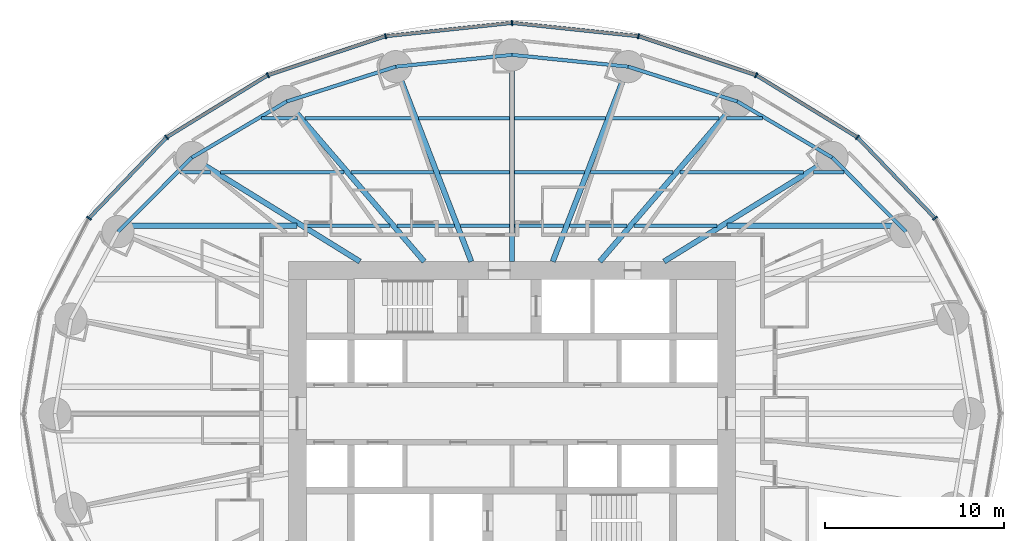
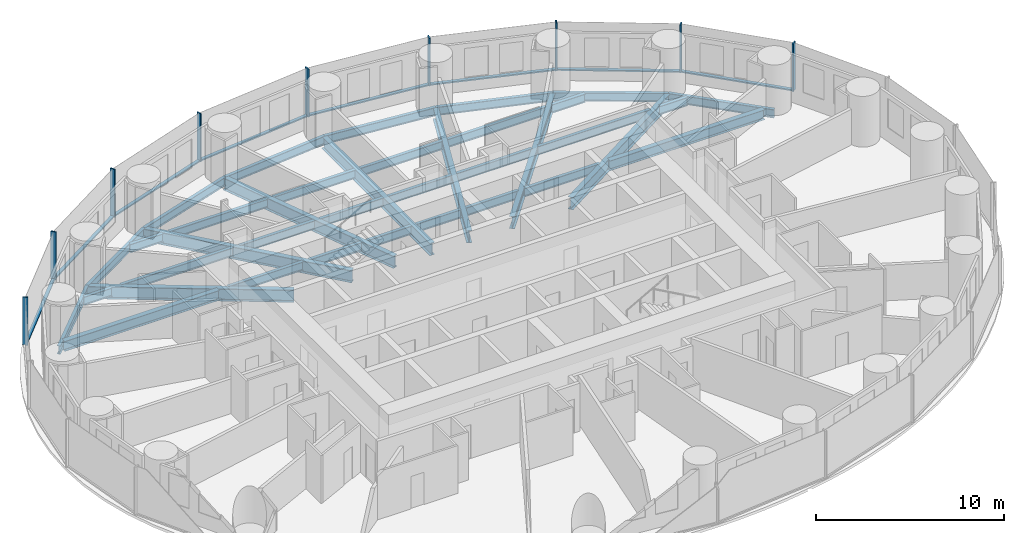
# One storey, part 4 of 14: 37 beams, 17 members, 2 elements without a shape of their own.
"""IFC4 building model written with IfcOpenShell, lengths in metres."""

from ifc_helpers import new_model, si_unit, direction, frame, origin, origin_2d, place, context, subcontext, project, spatial, rectangle, i_section, extrude, material, material_profile, profile_set, type_object, element, aggregate, save


model = new_model("IFC4")

# Units and contexts
model_context = context("Model", 3, precision=1e-05, world=origin(), true_north=direction((0.0, 1.0)))
body_context = subcontext(model_context, "Body", "Model", "MODEL_VIEW")
ifc_project = project(units=[si_unit("LENGTHUNIT", "METRE"), si_unit("AREAUNIT", "SQUARE_METRE"), si_unit("VOLUMEUNIT", "CUBIC_METRE"), si_unit("PLANEANGLEUNIT", "RADIAN"), si_unit("MASSUNIT", "GRAM", prefix="KILO")], contexts=[model_context])

# Site, building, storey
site_placement = place(None, origin())
site = spatial("IfcSite", under=ifc_project, at=site_placement, CompositionType="ELEMENT")
building_placement = place(site_placement, origin())
building = spatial("IfcBuilding", under=site, at=building_placement, Name="Hankou Lantern Tower", CompositionType="ELEMENT")
storey_placement = place(building_placement, frame((0.0, 0.0, 36.0)))
storey = spatial("IfcBuildingStorey", under=building, at=storey_placement, Name="L07", CompositionType="ELEMENT", Elevation=36.0)

# Beams
ifc_material_1 = material(Name="Steel Q355B", Category="steel")
ifc_material_profile_1 = material_profile(ifc_material_1, i_section(OverallWidth=0.199951171875, OverallDepth=0.550048828125, WebThickness=0.010009765625, FlangeThickness=0.01611328125, FilletRadius=0.012939453125, at=origin_2d()), Name="HN550x200x10x16")
ifc_profile_set_1 = profile_set([ifc_material_profile_1], Name="Steel Q355B")
beam_type_1 = type_object("IfcBeamType", Name="EB6 RING BEAM HN550x200x10x16", PredefinedType="SPANDREL", material=ifc_profile_set_1)
beam_1_placement = place(storey_placement, frame((22.01904296875, 10.170166015625, -0.455078125), z_axis=(-0.705727798394, 0.708483079949, 0.0), x_axis=(-0.708483079949, -0.705727798394, 0.0)))
element("IfcBeam", 1, at=beam_1_placement, inside=storey, type_object=beam_type_1, Name="Ring beam R03-R04 L07", PredefinedType="SPANDREL", context=body_context, shape_type="SweptSolid", body=[
    extrude(i_section(OverallWidth=0.199951171875, OverallDepth=0.550048828125, WebThickness=0.010009765625, FlangeThickness=0.01611328125, FilletRadius=0.012939453125, at=origin_2d()), origin(), (0.0, 0.0, 1.0), 5.84814453125),
])
beam_2_placement = place(storey_placement, frame((17.891845703125, 14.3134765625, -0.455078125), z_axis=(-0.860881533543, 0.508805449268, 0.0), x_axis=(-0.508805449268, -0.860881533543, 0.0)))
element("IfcBeam", 2, at=beam_2_placement, inside=storey, type_object=beam_type_1, Name="Ring beam R04-R05 L07", PredefinedType="SPANDREL", context=body_context, shape_type="SweptSolid", body=[
    extrude(i_section(OverallWidth=0.199951171875, OverallDepth=0.550048828125, WebThickness=0.010009765625, FlangeThickness=0.01611328125, FilletRadius=0.012939453125, at=origin_2d()), origin(), (0.0, 0.0, 1.0), 6.15771484375),
])
beam_3_placement = place(storey_placement, frame((12.5908203125, 17.446533203125, -0.455078125), z_axis=(-0.952690479428, 0.303942182671, 0.0), x_axis=(-0.303942182671, -0.952690479428, 0.0)))
element("IfcBeam", 3, at=beam_3_placement, inside=storey, type_object=beam_type_1, Name="Ring beam R05-R06 L07", PredefinedType="SPANDREL", context=body_context, shape_type="SweptSolid", body=[
    extrude(i_section(OverallWidth=0.199951171875, OverallDepth=0.550048828125, WebThickness=0.010009765625, FlangeThickness=0.01611328125, FilletRadius=0.012939453125, at=origin_2d()), origin(), (0.0, 0.0, 1.0), 6.398681640625),
])
for number, where, z_axis, x_axis, name in (
    (4, (6.494873046875, 19.391357421875, -0.455078125), (-0.994896616842, 0.100899562915, 0.0), (-0.100899562915, -0.994896616842, 0.0), "Ring beam R06-R07 L07"),
    (5, (0.0, 20.050048828125, -0.455078125), (-0.994896616842, -0.100899562915, 0.0), (0.100899562915, -0.994896616842, 0.0), "Ring beam R07-R08 L07"),
):
    element("IfcBeam", number, at=place(storey_placement, frame(where, z_axis=z_axis, x_axis=x_axis)), inside=storey, type_object=beam_type_1, Name=name, PredefinedType="SPANDREL", context=body_context, shape_type="SweptSolid", body=[
        extrude(i_section(OverallWidth=0.199951171875, OverallDepth=0.550048828125, WebThickness=0.010009765625, FlangeThickness=0.01611328125, FilletRadius=0.012939453125, at=origin_2d()), origin(), (0.0, 0.0, 1.0), 6.528076171875),
    ])
beam_4_placement = place(storey_placement, frame((-6.494873046875, 19.391357421875, -0.455078125), z_axis=(-0.952690479428, -0.303942182671, 0.0), x_axis=(0.303942182671, -0.952690479428, 0.0)))
element("IfcBeam", 6, at=beam_4_placement, inside=storey, type_object=beam_type_1, Name="Ring beam R08-R09 L07", PredefinedType="SPANDREL", context=body_context, shape_type="SweptSolid", body=[
    extrude(i_section(OverallWidth=0.199951171875, OverallDepth=0.550048828125, WebThickness=0.010009765625, FlangeThickness=0.01611328125, FilletRadius=0.012939453125, at=origin_2d()), origin(), (0.0, 0.0, 1.0), 6.398681640625),
])
beam_5_placement = place(storey_placement, frame((-12.5908203125, 17.446533203125, -0.455078125), z_axis=(-0.860881533543, -0.508805449268, 0.0), x_axis=(0.508805449268, -0.860881533543, 0.0)))
element("IfcBeam", 7, at=beam_5_placement, inside=storey, type_object=beam_type_1, Name="Ring beam R09-R10 L07", PredefinedType="SPANDREL", context=body_context, shape_type="SweptSolid", body=[
    extrude(i_section(OverallWidth=0.199951171875, OverallDepth=0.550048828125, WebThickness=0.010009765625, FlangeThickness=0.01611328125, FilletRadius=0.012939453125, at=origin_2d()), origin(), (0.0, 0.0, 1.0), 6.15771484375),
])
beam_6_placement = place(storey_placement, frame((-17.891845703125, 14.3134765625, -0.455078125), z_axis=(-0.705727798394, -0.708483079949, 0.0), x_axis=(0.708483079949, -0.705727798394, 0.0)))
element("IfcBeam", 8, at=beam_6_placement, inside=storey, type_object=beam_type_1, Name="Ring beam R10-R11 L07", PredefinedType="SPANDREL", context=body_context, shape_type="SweptSolid", body=[
    extrude(i_section(OverallWidth=0.199951171875, OverallDepth=0.550048828125, WebThickness=0.010009765625, FlangeThickness=0.01611328125, FilletRadius=0.012939453125, at=origin_2d()), origin(), (0.0, 0.0, 1.0), 5.84814453125),
])

# Curtain wall, members
ifc_material_2 = material(Name="Glass, dark grey tinted laminated", Category="glass")
curtain_wall_type = type_object("IfcCurtainWallType", Name="CWA OUTER SKIN LOW-RISE", PredefinedType="USERDEFINED", material=ifc_material_2)
curtain_wall_1_placement = place(storey_placement, origin())
curtain_wall_1 = element("IfcCurtainWall", 9, at=curtain_wall_1_placement, inside=storey, type_object=curtain_wall_type, Name="CWA L07 OS1", ObjectType="OUTER SKIN LOW-RISE", PredefinedType="USERDEFINED")
ifc_material_3 = material(Name="Aluminium, black anodised", Category="aluminium")
ifc_material_profile_2 = material_profile(ifc_material_3, rectangle(XDim=0.080078125, YDim=0.300048828125, at=origin_2d()), Name="MU1 80X300")
ifc_profile_set_2 = profile_set([ifc_material_profile_2], Name="Aluminium, black anodised")
member_type_1 = type_object("IfcMemberType", Name="MU1 OUTER SKIN MULLION 80X300", PredefinedType="MULLION", material=ifc_profile_set_2)
member_1_placement = place(storey_placement, frame((23.642578125, 10.919921875, 0.0), z_axis=(0.0, 0.0, 1.0), x_axis=(-0.585205735974, 0.810884854084, 0.0)))
member_1 = element("IfcMember", 10, at=member_1_placement, type_object=member_type_1, Name="CWA mullion 3", PredefinedType="MULLION", context=body_context, shape_type="SweptSolid", body=[
    extrude(rectangle(XDim=0.080078125, YDim=0.300048828125, at=origin_2d()), origin(), (0.0, 0.0, 1.0), 3.1201171875),
])
member_2_placement = place(storey_placement, frame((19.303955078125, 15.443115234375, 0.0), z_axis=(0.0, 0.0, 1.0), x_axis=(-0.780868809444, 0.624695047553, 0.0)))
member_2 = element("IfcMember", 11, at=member_2_placement, type_object=member_type_1, Name="CWA mullion 4", PredefinedType="MULLION", context=body_context, shape_type="SweptSolid", body=[
    extrude(rectangle(XDim=0.080078125, YDim=0.300048828125, at=origin_2d()), origin(), (0.0, 0.0, 1.0), 3.1201171875),
])
member_3_placement = place(storey_placement, frame((13.64990234375, 18.9140625, 0.0), z_axis=(0.0, 0.0, 1.0), x_axis=(-0.907841299004, 0.419313934686, 0.0)))
member_3 = element("IfcMember", 12, at=member_3_placement, type_object=member_type_1, Name="CWA mullion 5", PredefinedType="MULLION", context=body_context, shape_type="SweptSolid", body=[
    extrude(rectangle(XDim=0.080078125, YDim=0.300048828125, at=origin_2d()), origin(), (0.0, 0.0, 1.0), 3.1201171875),
])
member_4_placement = place(storey_placement, frame((7.065673828125, 21.095703125, 0.0), z_axis=(0.0, 0.0, 1.0), x_axis=(-0.977787659625, 0.209597931016, 0.0)))
member_4 = element("IfcMember", 13, at=member_4_placement, type_object=member_type_1, Name="CWA mullion 6", PredefinedType="MULLION", context=body_context, shape_type="SweptSolid", body=[
    extrude(rectangle(XDim=0.080078125, YDim=0.300048828125, at=origin_2d()), origin(), (0.0, 0.0, 1.0), 3.1201171875),
])

curtain_wall_2_placement = place(storey_placement, origin())
curtain_wall_2 = element("IfcCurtainWall", 14, at=curtain_wall_2_placement, inside=storey, type_object=curtain_wall_type, Name="CWA L07 OS2", ObjectType="OUTER SKIN LOW-RISE", PredefinedType="USERDEFINED")
member_5_placement = place(storey_placement, frame((0.0, 21.840087890625, 0.0), z_axis=(0.0, 0.0, 1.0), x_axis=(-0.994499359107, -0.104742659579, 0.0)))
member_5 = element("IfcMember", 15, at=member_5_placement, type_object=member_type_1, Name="CWA mullion 1", PredefinedType="MULLION", context=body_context, shape_type="SweptSolid", body=[
    extrude(rectangle(XDim=0.080078125, YDim=0.300048828125, at=origin_2d()), origin(), (0.0, 0.0, 1.0), 3.1201171875),
])
member_6_placement = place(storey_placement, frame((-7.065673828125, 21.095703125, 0.0), z_axis=(0.0, 0.0, 1.0), x_axis=(-0.977787659625, -0.209597931016, 0.0)))
member_6 = element("IfcMember", 16, at=member_6_placement, type_object=member_type_1, Name="CWA mullion 2", PredefinedType="MULLION", context=body_context, shape_type="SweptSolid", body=[
    extrude(rectangle(XDim=0.080078125, YDim=0.300048828125, at=origin_2d()), origin(), (0.0, 0.0, 1.0), 3.1201171875),
])
member_7_placement = place(storey_placement, frame((-13.64990234375, 18.9140625, 0.0), z_axis=(0.0, 0.0, 1.0), x_axis=(-0.907841299004, -0.419313934686, 0.0)))
member_7 = element("IfcMember", 17, at=member_7_placement, type_object=member_type_1, Name="CWA mullion 3", PredefinedType="MULLION", context=body_context, shape_type="SweptSolid", body=[
    extrude(rectangle(XDim=0.080078125, YDim=0.300048828125, at=origin_2d()), origin(), (0.0, 0.0, 1.0), 3.1201171875),
])
member_8_placement = place(storey_placement, frame((-19.303955078125, 15.443115234375, 0.0), z_axis=(0.0, 0.0, 1.0), x_axis=(-0.780868809444, -0.624695047553, 0.0)))
member_8 = element("IfcMember", 18, at=member_8_placement, type_object=member_type_1, Name="CWA mullion 4", PredefinedType="MULLION", context=body_context, shape_type="SweptSolid", body=[
    extrude(rectangle(XDim=0.080078125, YDim=0.300048828125, at=origin_2d()), origin(), (0.0, 0.0, 1.0), 3.1201171875),
])
member_9_placement = place(storey_placement, frame((-23.642578125, 10.919921875, 0.0), z_axis=(0.0, 0.0, 1.0), x_axis=(-0.585205735974, -0.810884854084, 0.0)))
member_9 = element("IfcMember", 19, at=member_9_placement, type_object=member_type_1, Name="CWA mullion 5", PredefinedType="MULLION", context=body_context, shape_type="SweptSolid", body=[
    extrude(rectangle(XDim=0.080078125, YDim=0.300048828125, at=origin_2d()), origin(), (0.0, 0.0, 1.0), 3.1201171875),
])

# Beams
ifc_material_4 = material(Name="Steel Q355B", Category="steel")
ifc_material_profile_3 = material_profile(ifc_material_4, i_section(OverallWidth=0.300048828125, OverallDepth=0.800048828125, WebThickness=0.013916015625, FlangeThickness=0.02587890625, FilletRadius=0.01806640625, at=origin_2d()), Name="HN800x300x14x26")
ifc_profile_set_3 = profile_set([ifc_material_profile_3], Name="Steel Q355B")
beam_type_2 = type_object("IfcBeamType", Name="RB11 RADIAL BEAM HN800x300x14x26", PredefinedType="BEAM", material=ifc_profile_set_3)
beam_7_placement = place(storey_placement, frame((8.5, 8.5, -0.580078125), z_axis=(0.850286343288, 0.526320372414, 0.0), x_axis=(-0.526320372414, 0.850286343288, 0.0)))
element("IfcBeam", 20, at=beam_7_placement, inside=storey, type_object=beam_type_2, Name="Radial beam R04 L07", PredefinedType="BEAM", context=body_context, shape_type="SweptSolid", body=[
    extrude(i_section(OverallWidth=0.300048828125, OverallDepth=0.800048828125, WebThickness=0.013916015625, FlangeThickness=0.02587890625, FilletRadius=0.01806640625, at=origin_2d()), origin(), (0.0, 0.0, 1.0), 11.04541015625),
])
beam_8_placement = place(storey_placement, frame((4.907470703125, 8.5, -0.580078125), z_axis=(0.651519061225, 0.758632264579, 0.0), x_axis=(-0.758632264579, 0.651519061225, 0.0)))
element("IfcBeam", 21, at=beam_8_placement, inside=storey, type_object=beam_type_2, Name="Radial beam R05 L07", PredefinedType="BEAM", context=body_context, shape_type="SweptSolid", body=[
    extrude(i_section(OverallWidth=0.300048828125, OverallDepth=0.800048828125, WebThickness=0.013916015625, FlangeThickness=0.02587890625, FilletRadius=0.01806640625, at=origin_2d()), origin(), (0.0, 0.0, 1.0), 11.79296875),
])
beam_9_placement = place(storey_placement, frame((2.277587890625, 8.5, -0.580078125), z_axis=(0.361089103374, 0.932531318201, 0.0), x_axis=(-0.932531318201, 0.361089103374, 0.0)))
element("IfcBeam", 22, at=beam_9_placement, inside=storey, type_object=beam_type_2, Name="Radial beam R06 L07", PredefinedType="BEAM", context=body_context, shape_type="SweptSolid", body=[
    extrude(i_section(OverallWidth=0.300048828125, OverallDepth=0.800048828125, WebThickness=0.013916015625, FlangeThickness=0.02587890625, FilletRadius=0.01806640625, at=origin_2d()), origin(), (0.0, 0.0, 1.0), 11.679443359375),
])
beam_10_placement = place(storey_placement, frame((0.0, 8.5, -0.580078125), z_axis=(0.0, 1.0, 0.0), x_axis=(-1.0, 0.0, 0.0)))
element("IfcBeam", 23, at=beam_10_placement, inside=storey, type_object=beam_type_2, Name="Radial beam R07 L07", PredefinedType="BEAM", context=body_context, shape_type="SweptSolid", body=[
    extrude(i_section(OverallWidth=0.300048828125, OverallDepth=0.800048828125, WebThickness=0.013916015625, FlangeThickness=0.02587890625, FilletRadius=0.01806640625, at=origin_2d()), origin(), (0.0, 0.0, 1.0), 11.550048828125),
])
beam_11_placement = place(storey_placement, frame((-2.277587890625, 8.5, -0.580078125), z_axis=(-0.361089103374, 0.932531318201, 0.0), x_axis=(-0.932531318201, -0.361089103374, 0.0)))
element("IfcBeam", 24, at=beam_11_placement, inside=storey, type_object=beam_type_2, Name="Radial beam R08 L07", PredefinedType="BEAM", context=body_context, shape_type="SweptSolid", body=[
    extrude(i_section(OverallWidth=0.300048828125, OverallDepth=0.800048828125, WebThickness=0.013916015625, FlangeThickness=0.02587890625, FilletRadius=0.01806640625, at=origin_2d()), origin(), (0.0, 0.0, 1.0), 11.679443359375),
])
beam_12_placement = place(storey_placement, frame((-4.907470703125, 8.5, -0.580078125), z_axis=(-0.651519061225, 0.758632264579, 0.0), x_axis=(-0.758632264579, -0.651519061225, 0.0)))
element("IfcBeam", 25, at=beam_12_placement, inside=storey, type_object=beam_type_2, Name="Radial beam R09 L07", PredefinedType="BEAM", context=body_context, shape_type="SweptSolid", body=[
    extrude(i_section(OverallWidth=0.300048828125, OverallDepth=0.800048828125, WebThickness=0.013916015625, FlangeThickness=0.02587890625, FilletRadius=0.01806640625, at=origin_2d()), origin(), (0.0, 0.0, 1.0), 11.79296875),
])
beam_13_placement = place(storey_placement, frame((-8.5, 8.5, -0.580078125), z_axis=(-0.850286343288, 0.526320372414, 0.0), x_axis=(-0.526320372414, -0.850286343288, 0.0)))
element("IfcBeam", 26, at=beam_13_placement, inside=storey, type_object=beam_type_2, Name="Radial beam R10 L07", PredefinedType="BEAM", context=body_context, shape_type="SweptSolid", body=[
    extrude(i_section(OverallWidth=0.300048828125, OverallDepth=0.800048828125, WebThickness=0.013916015625, FlangeThickness=0.02587890625, FilletRadius=0.01806640625, at=origin_2d()), origin(), (0.0, 0.0, 1.0), 11.04541015625),
])
ifc_material_5 = material(Name="Steel Q355B", Category="steel")
ifc_material_profile_4 = material_profile(ifc_material_5, i_section(OverallWidth=0.199951171875, OverallDepth=0.550048828125, WebThickness=0.010009765625, FlangeThickness=0.01611328125, FilletRadius=0.012939453125, at=origin_2d()), Name="HN550x200x10x16")
ifc_profile_set_4 = profile_set([ifc_material_profile_4], Name="Steel Q355B")
beam_type_3 = type_object("IfcBeamType", Name="SB6 SECONDARY BEAM HN550x200x10x16", PredefinedType="JOIST", material=ifc_profile_set_4)
beam_14_placement = place(storey_placement, frame((-11.446044921875, 10.5, -0.455078125), z_axis=(1.0, 0.0, 0.0), x_axis=(0.0, 1.0, 0.0)))
element("IfcBeam", 27, at=beam_14_placement, inside=storey, type_object=beam_type_3, Name="Floor joist J040 L07", PredefinedType="JOIST", context=body_context, shape_type="SweptSolid", body=[
    extrude(i_section(OverallWidth=0.199951171875, OverallDepth=0.550048828125, WebThickness=0.010009765625, FlangeThickness=0.01611328125, FilletRadius=0.012939453125, at=origin_2d()), origin(), (0.0, 0.0, 1.0), 4.623291015625),
])
beam_15_placement = place(storey_placement, frame((-6.427490234375, 10.5, -0.455078125), z_axis=(1.0, 0.0, 0.0), x_axis=(0.0, 1.0, 0.0)))
element("IfcBeam", 28, at=beam_15_placement, inside=storey, type_object=beam_type_3, Name="Floor joist J041 L07", PredefinedType="JOIST", context=body_context, shape_type="SweptSolid", body=[
    extrude(i_section(OverallWidth=0.199951171875, OverallDepth=0.550048828125, WebThickness=0.010009765625, FlangeThickness=0.01611328125, FilletRadius=0.012939453125, at=origin_2d()), origin(), (0.0, 0.0, 1.0), 3.214599609375),
])
for number, where, z_axis, x_axis, name in (
    (29, (-2.89111328125, 10.5, -0.455078125), (1.0, 0.0, 0.0), (0.0, 1.0, 0.0), "Floor joist J042 L07"),
    (30, (0.14990234375, 10.5, -0.455078125), (1.0, 0.0, 0.0), (0.0, 1.0, 0.0), "Floor joist J043 L07"),
):
    element("IfcBeam", number, at=place(storey_placement, frame(where, z_axis=z_axis, x_axis=x_axis)), inside=storey, type_object=beam_type_3, Name=name, PredefinedType="JOIST", context=body_context, shape_type="SweptSolid", body=[
        extrude(i_section(OverallWidth=0.199951171875, OverallDepth=0.550048828125, WebThickness=0.010009765625, FlangeThickness=0.01611328125, FilletRadius=0.012939453125, at=origin_2d()), origin(), (0.0, 0.0, 1.0), 2.7412109375),
    ])
beam_16_placement = place(storey_placement, frame((3.212890625, 10.5, -0.455078125), z_axis=(1.0, 0.0, 0.0), x_axis=(0.0, 1.0, 0.0)))
element("IfcBeam", 31, at=beam_16_placement, inside=storey, type_object=beam_type_3, Name="Floor joist J044 L07", PredefinedType="JOIST", context=body_context, shape_type="SweptSolid", body=[
    extrude(i_section(OverallWidth=0.199951171875, OverallDepth=0.550048828125, WebThickness=0.010009765625, FlangeThickness=0.01611328125, FilletRadius=0.012939453125, at=origin_2d()), origin(), (0.0, 0.0, 1.0), 3.214599609375),
])
beam_17_placement = place(storey_placement, frame((6.82275390625, 10.5, -0.455078125), z_axis=(1.0, 0.0, 0.0), x_axis=(0.0, 1.0, 0.0)))
element("IfcBeam", 32, at=beam_17_placement, inside=storey, type_object=beam_type_3, Name="Floor joist J045 L07", PredefinedType="JOIST", context=body_context, shape_type="SweptSolid", body=[
    extrude(i_section(OverallWidth=0.199951171875, OverallDepth=0.550048828125, WebThickness=0.010009765625, FlangeThickness=0.01611328125, FilletRadius=0.012939453125, at=origin_2d()), origin(), (0.0, 0.0, 1.0), 4.623291015625),
])
beam_18_placement = place(storey_placement, frame((-18.560791015625, 13.5, -0.455078125), z_axis=(1.0, 0.0, 0.0), x_axis=(0.0, 1.0, 0.0)))
element("IfcBeam", 33, at=beam_18_placement, inside=storey, type_object=beam_type_3, Name="Floor joist J047 L07", PredefinedType="JOIST", context=body_context, shape_type="SweptSolid", body=[
    extrude(i_section(OverallWidth=0.199951171875, OverallDepth=0.550048828125, WebThickness=0.010009765625, FlangeThickness=0.01611328125, FilletRadius=0.012939453125, at=origin_2d()), origin(), (0.0, 0.0, 1.0), 1.697998046875),
])
beam_19_placement = place(storey_placement, frame((-16.292724609375, 13.5, -0.455078125), z_axis=(1.0, 0.0, 0.0), x_axis=(0.0, 1.0, 0.0)))
element("IfcBeam", 34, at=beam_19_placement, inside=storey, type_object=beam_type_3, Name="Floor joist J048 L07", PredefinedType="JOIST", context=body_context, shape_type="SweptSolid", body=[
    extrude(i_section(OverallWidth=0.199951171875, OverallDepth=0.550048828125, WebThickness=0.010009765625, FlangeThickness=0.01611328125, FilletRadius=0.012939453125, at=origin_2d()), origin(), (0.0, 0.0, 1.0), 6.893310546875),
])
beam_20_placement = place(storey_placement, frame((-9.00390625, 13.5, -0.455078125), z_axis=(1.0, 0.0, 0.0), x_axis=(0.0, 1.0, 0.0)))
element("IfcBeam", 35, at=beam_20_placement, inside=storey, type_object=beam_type_3, Name="Floor joist J049 L07", PredefinedType="JOIST", context=body_context, shape_type="SweptSolid", body=[
    extrude(i_section(OverallWidth=0.199951171875, OverallDepth=0.550048828125, WebThickness=0.010009765625, FlangeThickness=0.01611328125, FilletRadius=0.012939453125, at=origin_2d()), origin(), (0.0, 0.0, 1.0), 4.62939453125),
])
for number, where, z_axis, x_axis, name in (
    (36, (-4.052734375, 13.5, -0.455078125), (1.0, 0.0, 0.0), (0.0, 1.0, 0.0), "Floor joist J050 L07"),
    (37, (0.14990234375, 13.5, -0.455078125), (1.0, 0.0, 0.0), (0.0, 1.0, 0.0), "Floor joist J051 L07"),
):
    element("IfcBeam", number, at=place(storey_placement, frame(where, z_axis=z_axis, x_axis=x_axis)), inside=storey, type_object=beam_type_3, Name=name, PredefinedType="JOIST", context=body_context, shape_type="SweptSolid", body=[
        extrude(i_section(OverallWidth=0.199951171875, OverallDepth=0.550048828125, WebThickness=0.010009765625, FlangeThickness=0.01611328125, FilletRadius=0.012939453125, at=origin_2d()), origin(), (0.0, 0.0, 1.0), 3.90283203125),
    ])
beam_21_placement = place(storey_placement, frame((4.37451171875, 13.5, -0.455078125), z_axis=(1.0, 0.0, 0.0), x_axis=(0.0, 1.0, 0.0)))
element("IfcBeam", 38, at=beam_21_placement, inside=storey, type_object=beam_type_3, Name="Floor joist J052 L07", PredefinedType="JOIST", context=body_context, shape_type="SweptSolid", body=[
    extrude(i_section(OverallWidth=0.199951171875, OverallDepth=0.550048828125, WebThickness=0.010009765625, FlangeThickness=0.01611328125, FilletRadius=0.012939453125, at=origin_2d()), origin(), (0.0, 0.0, 1.0), 4.62939453125),
])
beam_22_placement = place(storey_placement, frame((9.3994140625, 13.5, -0.455078125), z_axis=(1.0, 0.0, 0.0), x_axis=(0.0, 1.0, 0.0)))
element("IfcBeam", 39, at=beam_22_placement, inside=storey, type_object=beam_type_3, Name="Floor joist J053 L07", PredefinedType="JOIST", context=body_context, shape_type="SweptSolid", body=[
    extrude(i_section(OverallWidth=0.199951171875, OverallDepth=0.550048828125, WebThickness=0.010009765625, FlangeThickness=0.01611328125, FilletRadius=0.012939453125, at=origin_2d()), origin(), (0.0, 0.0, 1.0), 6.893310546875),
])
beam_23_placement = place(storey_placement, frame((16.86279296875, 13.5, -0.455078125), z_axis=(1.0, 0.0, 0.0), x_axis=(0.0, 1.0, 0.0)))
element("IfcBeam", 40, at=beam_23_placement, inside=storey, type_object=beam_type_3, Name="Floor joist J054 L07", PredefinedType="JOIST", context=body_context, shape_type="SweptSolid", body=[
    extrude(i_section(OverallWidth=0.199951171875, OverallDepth=0.550048828125, WebThickness=0.010009765625, FlangeThickness=0.01611328125, FilletRadius=0.012939453125, at=origin_2d()), origin(), (0.0, 0.0, 1.0), 1.697998046875),
])
beam_24_placement = place(storey_placement, frame((-13.99560546875, 16.5, -0.455078125), z_axis=(1.0, 0.0, 0.0), x_axis=(0.0, 1.0, 0.0)))
element("IfcBeam", 41, at=beam_24_placement, inside=storey, type_object=beam_type_3, Name="Floor joist J055 L07", PredefinedType="JOIST", context=body_context, shape_type="SweptSolid", body=[
    extrude(i_section(OverallWidth=0.199951171875, OverallDepth=0.550048828125, WebThickness=0.010009765625, FlangeThickness=0.01611328125, FilletRadius=0.012939453125, at=origin_2d()), origin(), (0.0, 0.0, 1.0), 2.019775390625),
])
beam_25_placement = place(storey_placement, frame((-11.580322265625, 16.5, -0.455078125), z_axis=(1.0, 0.0, 0.0), x_axis=(0.0, 1.0, 0.0)))
element("IfcBeam", 42, at=beam_25_placement, inside=storey, type_object=beam_type_3, Name="Floor joist J056 L07", PredefinedType="JOIST", context=body_context, shape_type="SweptSolid", body=[
    extrude(i_section(OverallWidth=0.199951171875, OverallDepth=0.550048828125, WebThickness=0.010009765625, FlangeThickness=0.01611328125, FilletRadius=0.012939453125, at=origin_2d()), origin(), (0.0, 0.0, 1.0), 6.044189453125),
])
for number, where, z_axis, x_axis, name in (
    (43, (-5.21435546875, 16.5, -0.455078125), (1.0, 0.0, 0.0), (0.0, 1.0, 0.0), "Floor joist J057 L07"),
    (44, (0.14990234375, 16.5, -0.455078125), (1.0, 0.0, 0.0), (0.0, 1.0, 0.0), "Floor joist J058 L07"),
):
    element("IfcBeam", number, at=place(storey_placement, frame(where, z_axis=z_axis, x_axis=x_axis)), inside=storey, type_object=beam_type_3, Name=name, PredefinedType="JOIST", context=body_context, shape_type="SweptSolid", body=[
        extrude(i_section(OverallWidth=0.199951171875, OverallDepth=0.550048828125, WebThickness=0.010009765625, FlangeThickness=0.01611328125, FilletRadius=0.012939453125, at=origin_2d()), origin(), (0.0, 0.0, 1.0), 5.064453125),
    ])
beam_26_placement = place(storey_placement, frame((5.5361328125, 16.5, -0.455078125), z_axis=(1.0, 0.0, 0.0), x_axis=(0.0, 1.0, 0.0)))
element("IfcBeam", 45, at=beam_26_placement, inside=storey, type_object=beam_type_3, Name="Floor joist J059 L07", PredefinedType="JOIST", context=body_context, shape_type="SweptSolid", body=[
    extrude(i_section(OverallWidth=0.199951171875, OverallDepth=0.550048828125, WebThickness=0.010009765625, FlangeThickness=0.01611328125, FilletRadius=0.012939453125, at=origin_2d()), origin(), (0.0, 0.0, 1.0), 6.044189453125),
])
beam_27_placement = place(storey_placement, frame((11.975830078125, 16.5, -0.455078125), z_axis=(1.0, 0.0, 0.0), x_axis=(0.0, 1.0, 0.0)))
element("IfcBeam", 46, at=beam_27_placement, inside=storey, type_object=beam_type_3, Name="Floor joist J060 L07", PredefinedType="JOIST", context=body_context, shape_type="SweptSolid", body=[
    extrude(i_section(OverallWidth=0.199951171875, OverallDepth=0.550048828125, WebThickness=0.010009765625, FlangeThickness=0.01611328125, FilletRadius=0.012939453125, at=origin_2d()), origin(), (0.0, 0.0, 1.0), 2.019775390625),
])
ifc_material_6 = material(Name="Steel Q355B", Category="steel")
ifc_material_profile_5 = material_profile(ifc_material_6, i_section(OverallWidth=0.300048828125, OverallDepth=0.64990234375, WebThickness=0.010986328125, FlangeThickness=0.01708984375, FilletRadius=0.01806640625, at=origin_2d()), Name="HN650x300x11x17")
ifc_profile_set_5 = profile_set([ifc_material_profile_5], Name="Steel Q355B")
beam_type_4 = type_object("IfcBeamType", Name="SB8 SECONDARY BEAM HN650x300x11x17", PredefinedType="JOIST", material=ifc_profile_set_5)
for number, where, z_axis, x_axis, name in (
    (47, (-21.54931640625, 10.5, -0.5048828125), (1.0, 0.0, 0.0), (0.0, 1.0, 0.0), "Floor joist J039 L07"),
    (48, (12.01611328125, 10.5, -0.5048828125), (1.0, 0.0, 0.0), (0.0, 1.0, 0.0), "Floor joist J046 L07"),
):
    element("IfcBeam", number, at=place(storey_placement, frame(where, z_axis=z_axis, x_axis=x_axis)), inside=storey, type_object=beam_type_4, Name=name, PredefinedType="JOIST", context=body_context, shape_type="SweptSolid", body=[
        extrude(i_section(OverallWidth=0.300048828125, OverallDepth=0.64990234375, WebThickness=0.010986328125, FlangeThickness=0.01708984375, FilletRadius=0.01806640625, at=origin_2d()), origin(), (0.0, 0.0, 1.0), 9.533203125),
    ])

# Member
ifc_material_7 = material(Name="Aluminium, black anodised", Category="aluminium")
ifc_material_profile_6 = material_profile(ifc_material_7, rectangle(XDim=0.199951171875, YDim=0.080078125, at=origin_2d()), Name="TR1 200X80")
ifc_profile_set_6 = profile_set([ifc_material_profile_6], Name="Aluminium, black anodised")
member_type_2 = type_object("IfcMemberType", Name="TR1 OUTER SKIN TRANSOM 200X80", PredefinedType="USERDEFINED", material=ifc_profile_set_6)
member_10_placement = place(storey_placement, frame((23.61474609375, 10.948974609375, 0.0400390625), z_axis=(-0.692215537374, 0.721690827029, 0.0), x_axis=(-0.721690827029, -0.692215537374, 0.0)))
member_10 = element("IfcMember", 49, at=member_10_placement, type_object=member_type_2, Name="CWA transom 3", ObjectType="TRANSOM", PredefinedType="USERDEFINED", context=body_context, shape_type="SweptSolid", body=[
    extrude(rectangle(XDim=0.199951171875, YDim=0.080078125, at=origin_2d()), origin(), (0.0, 0.0, 1.0), 6.187255859375),
])

member_11_placement = place(storey_placement, frame((19.27001953125, 15.464111328125, 0.0400390625), z_axis=(-0.85223969557, 0.523151508929, 0.0), x_axis=(-0.523151508929, -0.85223969557, 0.0)))
member_11 = element("IfcMember", 50, at=member_11_placement, type_object=member_type_2, Name="CWA transom 4", ObjectType="TRANSOM", PredefinedType="USERDEFINED", context=body_context, shape_type="SweptSolid", body=[
    extrude(rectangle(XDim=0.199951171875, YDim=0.080078125, at=origin_2d()), origin(), (0.0, 0.0, 1.0), 6.554443359375),
])

member_12_placement = place(storey_placement, frame((13.612060546875, 18.926513671875, 0.0400390625), z_axis=(-0.949237318771, 0.314560825044, 0.0), x_axis=(-0.314560825044, -0.949237318771, 0.0)))
member_12 = element("IfcMember", 51, at=member_12_placement, type_object=member_type_2, Name="CWA transom 5", ObjectType="TRANSOM", PredefinedType="USERDEFINED", context=body_context, shape_type="SweptSolid", body=[
    extrude(rectangle(XDim=0.199951171875, YDim=0.080078125, at=origin_2d()), origin(), (0.0, 0.0, 1.0), 6.8564453125),
])

member_13_placement = place(storey_placement, frame((7.02587890625, 21.10009765625, 0.0400390625), z_axis=(-0.994502215033, 0.104715539888, 0.0), x_axis=(-0.104715539888, -0.994502215033, 0.0)))
member_13 = element("IfcMember", 52, at=member_13_placement, type_object=member_type_2, Name="CWA transom 6", ObjectType="TRANSOM", PredefinedType="USERDEFINED", context=body_context, shape_type="SweptSolid", body=[
    extrude(rectangle(XDim=0.199951171875, YDim=0.080078125, at=origin_2d()), origin(), (0.0, 0.0, 1.0), 7.024658203125),
])

aggregate(curtain_wall_1, [member_1, member_2, member_3, member_4, member_10, member_11, member_12, member_13])

member_14_placement = place(storey_placement, frame((-0.039794921875, 21.835693359375, 0.0400390625), z_axis=(-0.994502215033, -0.104715539888, 0.0), x_axis=(0.104715539888, -0.994502215033, 0.0)))
member_14 = element("IfcMember", 53, at=member_14_placement, type_object=member_type_2, Name="CWA transom 1", ObjectType="TRANSOM", PredefinedType="USERDEFINED", context=body_context, shape_type="SweptSolid", body=[
    extrude(rectangle(XDim=0.199951171875, YDim=0.080078125, at=origin_2d()), origin(), (0.0, 0.0, 1.0), 7.024658203125),
])

member_15_placement = place(storey_placement, frame((-7.103759765625, 21.083251953125, 0.0400390625), z_axis=(-0.949237318771, -0.314560825044, 0.0), x_axis=(0.314560825044, -0.949237318771, 0.0)))
member_15 = element("IfcMember", 54, at=member_15_placement, type_object=member_type_2, Name="CWA transom 2", ObjectType="TRANSOM", PredefinedType="USERDEFINED", context=body_context, shape_type="SweptSolid", body=[
    extrude(rectangle(XDim=0.199951171875, YDim=0.080078125, at=origin_2d()), origin(), (0.0, 0.0, 1.0), 6.8564453125),
])

member_16_placement = place(storey_placement, frame((-13.68408203125, 18.89306640625, 0.0400390625), z_axis=(-0.85223969557, -0.523151508929, 0.0), x_axis=(0.523151508929, -0.85223969557, 0.0)))
member_16 = element("IfcMember", 55, at=member_16_placement, type_object=member_type_2, Name="CWA transom 3", ObjectType="TRANSOM", PredefinedType="USERDEFINED", context=body_context, shape_type="SweptSolid", body=[
    extrude(rectangle(XDim=0.199951171875, YDim=0.080078125, at=origin_2d()), origin(), (0.0, 0.0, 1.0), 6.554443359375),
])

member_17_placement = place(storey_placement, frame((-19.331787109375, 15.414306640625, 0.0400390625), z_axis=(-0.692215537374, -0.721690827029, 0.0), x_axis=(0.721690827029, -0.692215537374, 0.0)))
member_17 = element("IfcMember", 56, at=member_17_placement, type_object=member_type_2, Name="CWA transom 4", ObjectType="TRANSOM", PredefinedType="USERDEFINED", context=body_context, shape_type="SweptSolid", body=[
    extrude(rectangle(XDim=0.199951171875, YDim=0.080078125, at=origin_2d()), origin(), (0.0, 0.0, 1.0), 6.187255859375),
])

aggregate(curtain_wall_2, [member_5, member_6, member_7, member_8, member_9, member_14, member_15, member_16, member_17])

save(model, "model.ifc")
